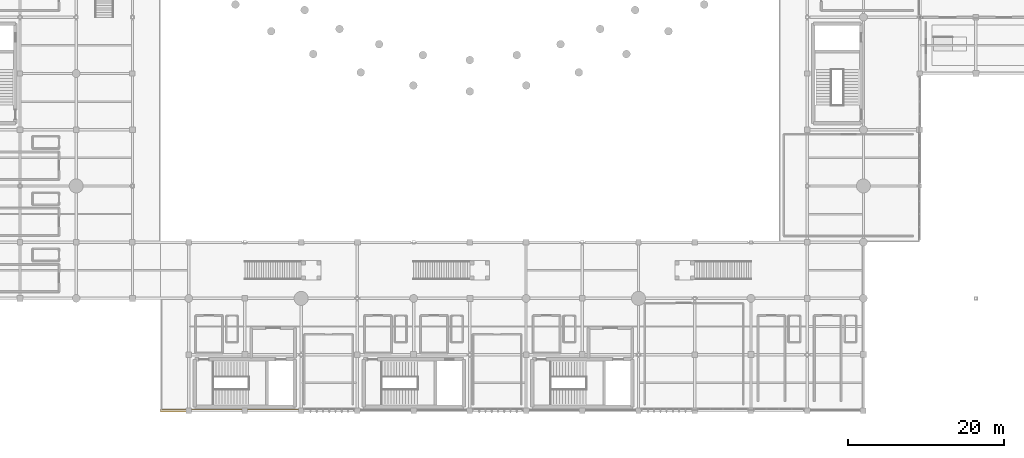
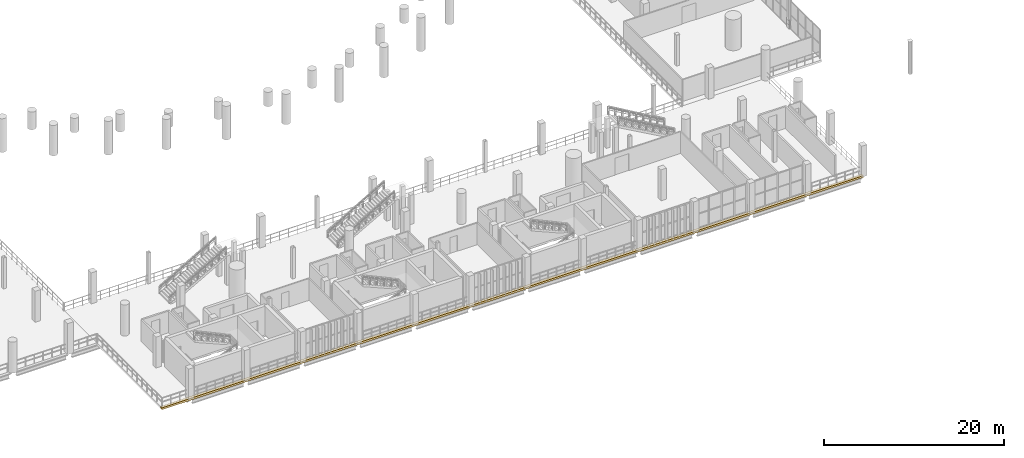
# One storey, part 119 of 130: 1 covering.
"""IFC4 building model written with IfcOpenShell, lengths in metres."""

from ifc_helpers import new_model, si_unit, direction, frame, origin, origin_2d, place, context, subcontext, project, spatial, rectangle, extrude, material, layer, layer_set, type_object, element, save


model = new_model("IFC4")

# Units and contexts
model_context = context("Model", 3, precision=1e-05, world=origin(), true_north=direction((0.0, 1.0)))
body_context = subcontext(model_context, "Body", "Model", "MODEL_VIEW")
ifc_project = project(units=[si_unit("LENGTHUNIT", "METRE"), si_unit("AREAUNIT", "SQUARE_METRE"), si_unit("VOLUMEUNIT", "CUBIC_METRE"), si_unit("PLANEANGLEUNIT", "RADIAN"), si_unit("MASSUNIT", "GRAM", prefix="KILO")], contexts=[model_context])

# Site, building, storey
site_placement = place(None, origin())
site = spatial("IfcSite", under=ifc_project, at=site_placement, CompositionType="ELEMENT")
building_placement = place(site_placement, origin())
building = spatial("IfcBuilding", under=site, at=building_placement, Name="Qandorah Velis Arena", CompositionType="ELEMENT")
storey_placement = place(building_placement, frame((0.0, 0.0, 9.60009765625)))
storey = spatial("IfcBuildingStorey", under=building, at=storey_placement, Name="L02", CompositionType="ELEMENT", Elevation=9.60009765625)

# Covering
ifc_material = material(Name="Precast Riyadh limestone cladding", Category="masonry")
ifc_layer = layer(ifc_material, 0.054931640625)
ifc_layer_set = layer_set([ifc_layer], Name="Precast Riyadh limestone cladding")
covering_type = type_object("IfcCoveringType", Name="ARC-COV-CLAD", PredefinedType="CLADDING", material=ifc_layer_set)
covering_placement = place(storey_placement, frame((70.199951171875, 0.0400390625, -0.27001953125), z_axis=(0.0, 0.0, 1.0), x_axis=(1.0, 0.0, 0.0)))
element("IfcCovering", 1, at=covering_placement, inside=storey, type_object=covering_type, Name="Sculpted precast solar eyebrow reveal 06", PredefinedType="CLADDING", context=body_context, shape_type="SweptSolid", body=[
    extrude(rectangle(XDim=90.0, YDim=0.360107421875, at=origin_2d()), origin(), (0.0, 0.0, 1.0), 0.260009765625),
])

save(model, "model.ifc")
